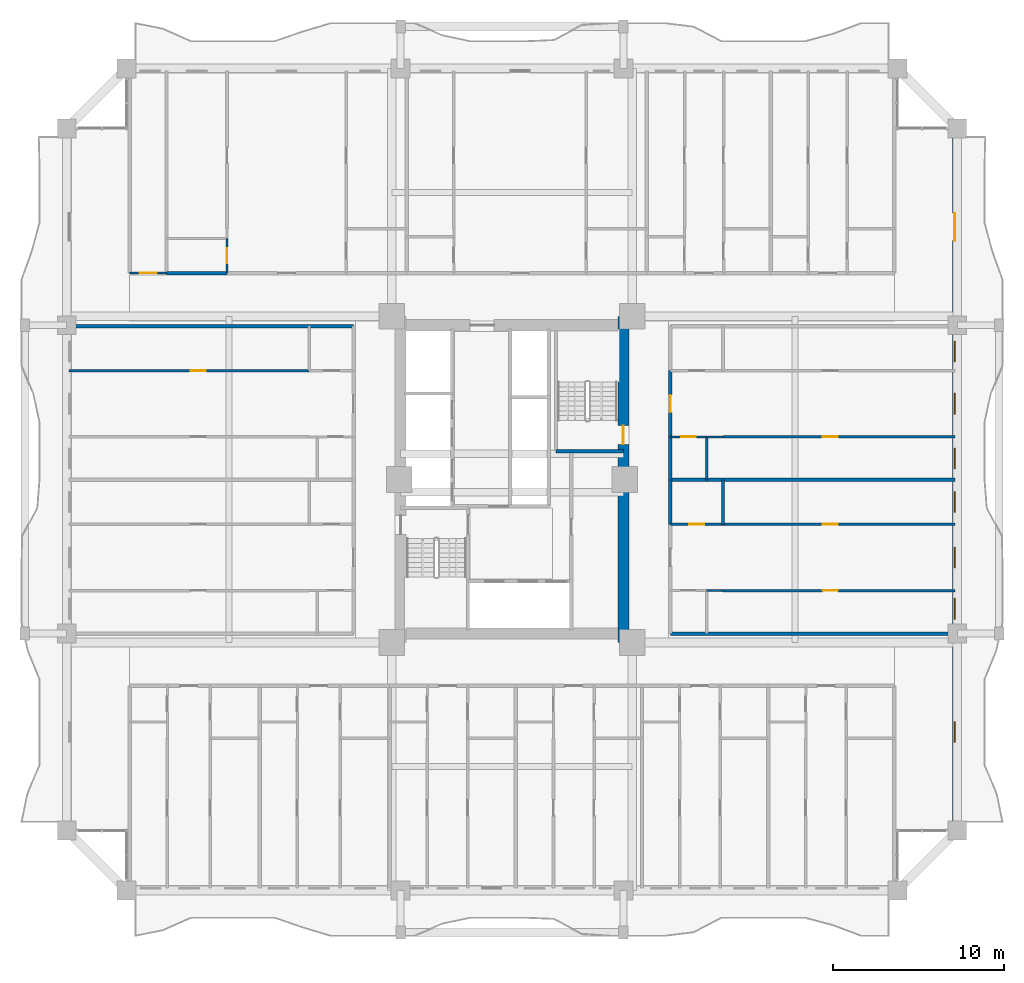
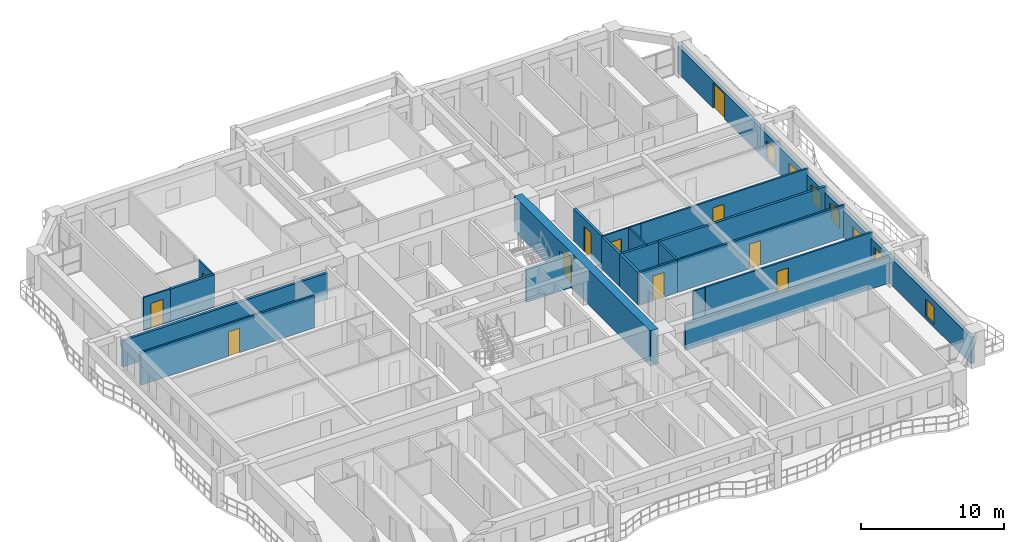
# One storey, part 18 of 28: 22 walls, 11 doors, 7 windows, 18 openings.
"""IFC4 building model written with IfcOpenShell, lengths in metres."""

import ifcopenshell
import ifcopenshell.guid

model = None  # the IFC model being written
_history = None  # IfcOwnerHistory: only IFC2X3 demands one
_inside = {}  # id of a spatial element -> (the spatial element, [elements in it])
_under = {}  # id of a project, library or spatial element -> (it, [spatial elements below it])
_declared = {}  # id of a project -> (the project, [libraries it declares])
_typed = {}  # id of a type object -> (the type object, [elements of that type])
_made_of = {}  # id of a material, layer set ... -> (it, [elements and type objects made of it])


def new_model(schema):
    """Start an empty IFC model of exactly this schema.

    Asked for "IFC4X3", IfcOpenShell would pick the latest addendum, in which some entities
    have other attributes; the version numbers below select the first issue.
    IFC2X3 requires an IfcOwnerHistory on every rooted entity: one is made here for all.
    """
    global model, _history
    if schema == "IFC4X3":
        model = ifcopenshell.file(schema_version=(4, 3, 0, 0))
    else:
        model = ifcopenshell.file(schema=schema)
    _inside.clear()
    _under.clear()
    _declared.clear()
    _typed.clear()
    _made_of.clear()
    _history = None
    if model.schema == "IFC2X3":
        org = make("IfcOrganization", Name="unknown")
        user = make(
            "IfcPersonAndOrganization",
            ThePerson=make("IfcPerson", FamilyName="unknown"),
            TheOrganization=org,
        )
        app = make(
            "IfcApplication",
            ApplicationDeveloper=org,
            Version="unknown",
            ApplicationFullName="unknown",
            ApplicationIdentifier="unknown",
        )
        _history = make(
            "IfcOwnerHistory",
            OwningUser=user,
            OwningApplication=app,
            ChangeAction="ADDED",
            CreationDate=0,
        )
    return model


def make(cls, **values):
    """One entity of the class cls with the attributes given. An attribute that is None is left unset."""
    return model.create_entity(
        cls, **{name: value for name, value in values.items() if value is not None}
    )


def rooted(cls, **values):
    """An entity with a GlobalId (a new one), such as an element, a storey or a relation."""
    return make(cls, GlobalId=ifcopenshell.guid.new(), OwnerHistory=_history, **values)


def si_unit(unit_type, name, prefix=None):
    """IfcSIUnit, for example si_unit("LENGTHUNIT", "METRE", prefix="MILLI")."""
    return make("IfcSIUnit", UnitType=unit_type, Prefix=prefix, Name=name)


def assignment(units):
    """IfcUnitAssignment: the units of a project."""
    return None if units is None else make("IfcUnitAssignment", Units=units)


def point(xyz):
    """IfcCartesianPoint."""
    return None if xyz is None else make("IfcCartesianPoint", Coordinates=xyz)


def direction(xyz):
    """IfcDirection."""
    return None if xyz is None else make("IfcDirection", DirectionRatios=xyz)


def frame(location, z_axis=None, x_axis=None):
    """IfcAxis2Placement3D, a coordinate frame: its origin and axes. An axis left out is left unset."""
    return make(
        "IfcAxis2Placement3D",
        Location=point(location),
        Axis=direction(z_axis),
        RefDirection=direction(x_axis),
    )


def frame_2d(location, x_axis=None):
    """IfcAxis2Placement2D, a coordinate frame in the plane: its origin and x axis."""
    return make(
        "IfcAxis2Placement2D", Location=point(location), RefDirection=direction(x_axis)
    )


def origin():
    """The frame at (0, 0, 0) with its axes left unset."""
    return frame((0.0, 0.0, 0.0))


def place(relative_to, where):
    """IfcLocalPlacement: puts the frame where relative to a parent placement (None: the world)."""
    return make(
        "IfcLocalPlacement", PlacementRelTo=relative_to, RelativePlacement=where
    )


def context(
    kind, dimensions, precision=None, world=None, true_north=None, identifier=None
):
    """IfcGeometricRepresentationContext, for example the 3D "Model" context."""
    return make(
        "IfcGeometricRepresentationContext",
        ContextIdentifier=identifier,
        ContextType=kind,
        CoordinateSpaceDimension=dimensions,
        Precision=precision,
        WorldCoordinateSystem=world,
        TrueNorth=true_north,
    )


def subcontext(parent, identifier, kind, view, scale=None):
    """IfcGeometricRepresentationSubContext, for example "Body" below "Model"."""
    return make(
        "IfcGeometricRepresentationSubContext",
        ContextIdentifier=identifier,
        ContextType=kind,
        ParentContext=parent,
        TargetScale=scale,
        TargetView=view,
    )


def project(units=None, contexts=None):
    """IfcProject with its units and contexts."""
    return rooted(
        "IfcProject",
        Name="project",
        RepresentationContexts=contexts,
        UnitsInContext=assignment(units),
    )


def spatial(cls, under=None, at=None, **own):
    """A site, building, storey or space (cls), placed at a placement, below another one or the project."""
    s = rooted(cls, ObjectPlacement=at, **own)
    if under is not None:
        _under.setdefault(under.id(), (under, []))[1].append(s)
    return s


def profile(cls, at=None, kind="AREA", **sizes):
    """A parametric profile (cls). Its sizes go by their IFC names, for example OverallWidth=200.0."""
    return make(cls, ProfileType=kind, Position=at, **sizes)


def rectangle(**sizes):
    """IfcRectangleProfileDef."""
    return profile("IfcRectangleProfileDef", **sizes)


def extrude(swept, where, along, depth):
    """IfcExtrudedAreaSolid: the profile swept, set in the frame where, extruded along a direction by depth."""
    return make(
        "IfcExtrudedAreaSolid",
        SweptArea=swept,
        Position=where,
        ExtrudedDirection=direction(along),
        Depth=depth,
    )


def shape(context_of_items, identifier, shape_type, items):
    """IfcShapeRepresentation: the items that make up one representation, for example the "Body"."""
    return make(
        "IfcShapeRepresentation",
        ContextOfItems=context_of_items,
        RepresentationIdentifier=identifier,
        RepresentationType=shape_type,
        Items=items,
    )


def source(mapping_origin, context_of_items, identifier, shape_type, items):
    """IfcRepresentationMap: a shape defined once, which mapped items show again and again."""
    return make(
        "IfcRepresentationMap",
        MappingOrigin=mapping_origin,
        MappedRepresentation=shape(context_of_items, identifier, shape_type, items),
    )


def transform(
    local_origin,
    x_axis=None,
    y_axis=None,
    z_axis=None,
    scale=None,
    scale2=None,
    scale3=None,
    uniform=True,
):
    """IfcCartesianTransformationOperator3D, or its non-uniform kind. x_axis, y_axis, z_axis: its Axis1, 2, 3."""
    if uniform:
        return make(
            "IfcCartesianTransformationOperator3D",
            Axis1=direction(x_axis),
            Axis2=direction(y_axis),
            LocalOrigin=point(local_origin),
            Scale=scale,
            Axis3=direction(z_axis),
        )
    return make(
        "IfcCartesianTransformationOperator3DnonUniform",
        Axis1=direction(x_axis),
        Axis2=direction(y_axis),
        LocalOrigin=point(local_origin),
        Scale=scale,
        Axis3=direction(z_axis),
        Scale2=scale2,
        Scale3=scale3,
    )


def mapped(mapping_source, mapping_target):
    """IfcMappedItem: shows the shape of a source again, moved by a transform."""
    return make(
        "IfcMappedItem", MappingSource=mapping_source, MappingTarget=mapping_target
    )


def material(Name=None, Category=None):
    """IfcMaterial."""
    return make("IfcMaterial", Name=Name, Category=Category)


def layer(
    of_material, thickness, ventilated=None, Name=None, Category=None, Priority=None
):
    """IfcMaterialLayer: one layer of a wall or slab, of a material (None: an air gap)."""
    return make(
        "IfcMaterialLayer",
        Material=of_material,
        LayerThickness=thickness,
        IsVentilated=ventilated,
        Name=Name,
        Category=Category,
        Priority=Priority,
    )


def layer_set(layers, Name=None):
    """IfcMaterialLayerSet."""
    return make("IfcMaterialLayerSet", MaterialLayers=layers, LayerSetName=Name)


def made_of(thing, what):
    """Note that an element or type object is made of a material, layer set ...; save() writes the relation."""
    if what is not None:
        _made_of.setdefault(what.id(), (what, []))[1].append(thing)
    return thing


def type_object(cls, material=None, **own):
    """A type object (cls), such as IfcWallType, which elements share."""
    return made_of(rooted(cls, **own), material)


def element(
    cls,
    number,
    at=None,
    inside=None,
    cuts=None,
    type_object=None,
    material=None,
    context=None,
    identifier="Body",
    shape_type=None,
    held_by="IfcProductDefinitionShape",
    body=None,
    shapes=None,
    **own,
):
    """One element of the class cls, such as IfcWall. Its Tag is "e" and its number.

    at: its placement. inside: the storey or other place that contains it. cuts: it is an
    opening in that element (IfcRelVoidsElement). A single representation is given by context,
    identifier, shape_type and body (its items); several are given by shapes. held_by: the class
    of the entity that holds the representations. save() writes the other relations.
    """
    e = rooted(cls, Tag="e%d" % number, ObjectPlacement=at, **own)
    if body is not None:
        shapes = [shape(context, identifier, shape_type, body)]
    if shapes is not None:
        e.Representation = make(held_by, Representations=shapes)
    if inside is not None:
        _inside.setdefault(inside.id(), (inside, []))[1].append(e)
    if cuts is not None:
        rooted(
            "IfcRelVoidsElement", RelatingBuildingElement=cuts, RelatedOpeningElement=e
        )
    if type_object is not None:
        _typed.setdefault(type_object.id(), (type_object, []))[1].append(e)
    return made_of(e, material)


def fill(opening, filler):
    """IfcRelFillsElement: the door or window that sits in an opening."""
    return rooted(
        "IfcRelFillsElement",
        RelatingOpeningElement=opening,
        RelatedBuildingElement=filler,
    )


def aggregate(whole, parts):
    """IfcRelAggregates: a whole, such as a stair, and the parts it consists of."""
    return rooted("IfcRelAggregates", RelatingObject=whole, RelatedObjects=parts)


def save(model, path):
    """Write the relations noted so far, then the file.

    IfcRelAggregates (storeys below a building ...), IfcRelContainedInSpatialStructure (elements
    in a storey), IfcRelDefinesByType, IfcRelAssociatesMaterial and IfcRelDeclares: one each for
    every whole, place, type object, material and project.
    """
    for whole, parts in _under.values():
        aggregate(whole, parts)
    for where, things in _inside.values():
        rooted(
            "IfcRelContainedInSpatialStructure",
            RelatedElements=things,
            RelatingStructure=where,
        )
    for kind, things in _typed.values():
        rooted("IfcRelDefinesByType", RelatedObjects=things, RelatingType=kind)
    for what, things in _made_of.values():
        rooted("IfcRelAssociatesMaterial", RelatedObjects=things, RelatingMaterial=what)
    for by, libraries in _declared.values():
        rooted("IfcRelDeclares", RelatingContext=by, RelatedDefinitions=libraries)
    model.write(path)


model = new_model("IFC4")

# Units and contexts
model_context = context("Model", 3, precision=1e-05, world=origin(), true_north=direction((0.0, 1.0)))
body_context = subcontext(model_context, "Body", "Model", "MODEL_VIEW")
ifc_project = project(units=[si_unit("LENGTHUNIT", "METRE"), si_unit("AREAUNIT", "SQUARE_METRE"), si_unit("VOLUMEUNIT", "CUBIC_METRE"), si_unit("PLANEANGLEUNIT", "RADIAN"), si_unit("MASSUNIT", "GRAM", prefix="KILO")], contexts=[model_context])

# Site, building, storey
site_placement = place(None, origin())
site = spatial("IfcSite", under=ifc_project, at=site_placement, CompositionType="ELEMENT")
building_placement = place(site_placement, origin())
building = spatial("IfcBuilding", under=site, at=building_placement, Name="Saelheon Loggia Tower", CompositionType="ELEMENT")
storey_placement = place(building_placement, frame((0.0, 0.0, 25.39990234375)))
storey = spatial("IfcBuildingStorey", under=building, at=storey_placement, Name="L07", CompositionType="ELEMENT", Elevation=25.39990234375)

# Wall, opening, door
ifc_material_1 = material(Name="Concrete C60/75", Category="concrete")
ifc_layer_1 = layer(ifc_material_1, 0.64990234375)
ifc_layer_set_1 = layer_set([ifc_layer_1], Name="Concrete C60/75")
wall_type_1 = type_object("IfcWallType", Name="Wall_CoreShear_650", PredefinedType="SHEAR", material=ifc_layer_set_1)
wall_1_placement = place(storey_placement, frame((44.5, 17.47998046875, 0.0), z_axis=(0.0, 0.0, 1.0), x_axis=(0.0, 1.0, 0.0)))
wall_1 = element("IfcWall", 1, at=wall_1_placement, inside=storey, type_object=wall_type_1, Name="L07 Core Shear Wall East", PredefinedType="SHEAR", context=body_context, shape_type="SweptSolid", body=[
    extrude(rectangle(XDim=19.0400390625, YDim=0.64990234375, at=frame_2d((9.52001953125, 0.0))), origin(), (0.0, 0.0, 1.0), 3.0),
])
opening_1_placement = place(wall_1_placement, frame((12.670166015625, 0.0, 0.0), z_axis=(0.0, 0.0, 1.0), x_axis=(-1.0, 0.0, 0.0)))
opening_1 = element("IfcOpeningElement", 2, at=opening_1_placement, cuts=wall_1, Name="Opening D-FD2", PredefinedType="OPENING", context=body_context, shape_type="SweptSolid", body=[
    extrude(rectangle(XDim=1.10009765625, YDim=2.14990234375, at=frame_2d((0.550048828125, 1.074951171875))), frame((0.0, 0.3369140625, 0.0), z_axis=(0.0, -1.0, 0.0), x_axis=(1.0, 0.0, 0.0)), (0.0, 0.0, 1.0), 0.673828125),
])
ifc_material_2 = material(Name="Galvanised Steel Fire Door", Category="steel")
door_type_1 = type_object("IfcDoorType", Name="Door_Fire_FD60_1100", OperationType="NOTDEFINED", PredefinedType="DOOR", material=ifc_material_2)
shared_shape_1 = source(origin(), body_context, "Body", "SweptSolid", [
    extrude(rectangle(XDim=1.10009765625, YDim=2.14990234375, at=frame_2d((0.550048828125, 1.074951171875))), frame((0.0, 0.02490234375, 0.0), z_axis=(0.0, -1.0, 0.0), x_axis=(1.0, 0.0, 0.0)), (0.0, 0.0, 1.0), 0.050048828125),
])
door_1_placement = place(opening_1_placement, origin())
door_1 = element("IfcDoor", 3, at=door_1_placement, inside=storey, type_object=door_type_1, Name="L07 Stair ST2 Corridor Door", OperationType="SINGLE_SWING_RIGHT", OverallHeight=2.14990234375, OverallWidth=1.10009765625, PredefinedType="DOOR", context=body_context, shape_type="MappedRepresentation", body=[
    mapped(shared_shape_1, transform((0.0, 0.0, 0.0), scale=1.0)),
])
fill(opening_1, door_1)

# Wall, openings, windows, door
ifc_material_3 = material(Name="Architectural Precast Concrete C40/50", Category="concrete")
ifc_layer_2 = layer(ifc_material_3, 0.280029296875)
ifc_layer_set_2 = layer_set([ifc_layer_2], Name="Architectural Precast Concrete C40/50")
wall_type_2 = type_object("IfcWallType", Name="Wall_Ext_Loggia_280", PredefinedType="SOLIDWALL", material=ifc_layer_set_2)
wall_2_placement = place(storey_placement, frame((63.860107421875, 6.5, 0.0), z_axis=(0.0, 0.0, 1.0), x_axis=(0.0, 1.0, 0.0)))
wall_2 = element("IfcWall", 4, at=wall_2_placement, inside=storey, type_object=wall_type_2, Name="L07 East Loggia Inner Wall", PredefinedType="SOLIDWALL", context=body_context, shape_type="SweptSolid", body=[
    extrude(rectangle(XDim=41.0, YDim=0.280029296875, at=frame_2d((20.5, 0.0))), origin(), (0.0, 0.0, 1.0), 2.280029296875),
])
opening_2_placement = place(wall_2_placement, frame((5.14990234375, 0.0, 0.25)))
opening_2 = element("IfcOpeningElement", 5, at=opening_2_placement, cuts=wall_2, Name="Opening WN-03", PredefinedType="OPENING", context=body_context, shape_type="SweptSolid", body=[
    extrude(rectangle(XDim=1.199951171875, YDim=1.5, at=frame_2d((0.60009765625, 0.75))), frame((0.0, 0.152099609375, 0.0), z_axis=(0.0, -1.0, 0.0), x_axis=(1.0, 0.0, 0.0)), (0.0, 0.0, 1.0), 0.303955078125),
])
opening_3_placement = place(wall_2_placement, frame((12.3515625, 0.0, 0.25)))
opening_3 = element("IfcOpeningElement", 6, at=opening_3_placement, cuts=wall_2, Name="Opening WN-03", PredefinedType="OPENING", context=body_context, shape_type="SweptSolid", body=[
    extrude(rectangle(XDim=1.199951171875, YDim=1.5, at=frame_2d((0.60009765625, 0.75))), frame((0.0, 0.152099609375, 0.0), z_axis=(0.0, -1.0, 0.0), x_axis=(1.0, 0.0, 0.0)), (0.0, 0.0, 1.0), 0.303955078125),
])
opening_4_placement = place(wall_2_placement, frame((15.343994140625, 0.0, 0.25)))
opening_4 = element("IfcOpeningElement", 7, at=opening_4_placement, cuts=wall_2, Name="Opening WN-03", PredefinedType="OPENING", context=body_context, shape_type="SweptSolid", body=[
    extrude(rectangle(XDim=1.199951171875, YDim=1.5, at=frame_2d((0.60009765625, 0.75))), frame((0.0, 0.152099609375, 0.0), z_axis=(0.0, -1.0, 0.0), x_axis=(1.0, 0.0, 0.0)), (0.0, 0.0, 1.0), 0.303955078125),
])
opening_5_placement = place(wall_2_placement, frame((18.574951171875, 0.0, 0.25)))
opening_5 = element("IfcOpeningElement", 8, at=opening_5_placement, cuts=wall_2, Name="Opening WN-03", PredefinedType="OPENING", context=body_context, shape_type="SweptSolid", body=[
    extrude(rectangle(XDim=1.199951171875, YDim=1.5, at=frame_2d((0.60009765625, 0.75))), frame((0.0, 0.152099609375, 0.0), z_axis=(0.0, -1.0, 0.0), x_axis=(1.0, 0.0, 0.0)), (0.0, 0.0, 1.0), 0.303955078125),
])
opening_6_placement = place(wall_2_placement, frame((21.131591796875, 0.0, 0.25)))
opening_6 = element("IfcOpeningElement", 9, at=opening_6_placement, cuts=wall_2, Name="Opening WN-03", PredefinedType="OPENING", context=body_context, shape_type="SweptSolid", body=[
    extrude(rectangle(XDim=1.199951171875, YDim=1.5, at=frame_2d((0.60009765625, 0.75))), frame((0.0, 0.152099609375, 0.0), z_axis=(0.0, -1.0, 0.0), x_axis=(1.0, 0.0, 0.0)), (0.0, 0.0, 1.0), 0.303955078125),
])
opening_7_placement = place(wall_2_placement, frame((24.319091796875, 0.0, 0.25)))
opening_7 = element("IfcOpeningElement", 10, at=opening_7_placement, cuts=wall_2, Name="Opening WN-03", PredefinedType="OPENING", context=body_context, shape_type="SweptSolid", body=[
    extrude(rectangle(XDim=1.199951171875, YDim=1.5, at=frame_2d((0.60009765625, 0.75))), frame((0.0, 0.152099609375, 0.0), z_axis=(0.0, -1.0, 0.0), x_axis=(1.0, 0.0, 0.0)), (0.0, 0.0, 1.0), 0.303955078125),
])
opening_8_placement = place(wall_2_placement, frame((27.3798828125, 0.0, 0.25)))
opening_8 = element("IfcOpeningElement", 11, at=opening_8_placement, cuts=wall_2, Name="Opening WN-03", PredefinedType="OPENING", context=body_context, shape_type="SweptSolid", body=[
    extrude(rectangle(XDim=1.199951171875, YDim=1.5, at=frame_2d((0.60009765625, 0.75))), frame((0.0, 0.152099609375, 0.0), z_axis=(0.0, -1.0, 0.0), x_axis=(1.0, 0.0, 0.0)), (0.0, 0.0, 1.0), 0.303955078125),
])
opening_9_placement = place(wall_2_placement, frame((36.050048828125, 0.0, 0.0), z_axis=(0.0, 0.0, 1.0), x_axis=(-1.0, 0.0, 0.0)))
opening_9 = element("IfcOpeningElement", 12, at=opening_9_placement, cuts=wall_2, Name="Opening DLG-1", PredefinedType="OPENING", context=body_context, shape_type="SweptSolid", body=[
    extrude(rectangle(XDim=1.60009765625, YDim=2.14990234375, at=frame_2d((0.800048828125, 1.074951171875))), frame((0.0, 0.152099609375, 0.0), z_axis=(0.0, -1.0, 0.0), x_axis=(1.0, 0.0, 0.0)), (0.0, 0.0, 1.0), 0.303955078125),
])
ifc_material_4 = material(Name="Thermal-Break Aluminium and Triple Low-E Glass", Category="aluminium")
window_type = type_object("IfcWindowType", Name="Win_Bedroom_1200x1500", PartitioningType="SINGLE_PANEL", PredefinedType="WINDOW", material=ifc_material_4)
shared_shape_2 = source(origin(), body_context, "Body", "SweptSolid", [
    extrude(rectangle(XDim=1.199951171875, YDim=1.5, at=frame_2d((0.60009765625, 0.75))), frame((0.0, 0.030029296875, 0.0), z_axis=(0.0, -1.0, 0.0), x_axis=(1.0, 0.0, 0.0)), (0.0, 0.0, 1.0), 0.06005859375),
])
window_1_placement = place(opening_2_placement, origin())
window_1 = element("IfcWindow", 13, at=window_1_placement, inside=storey, type_object=window_type, Name="L07 E Dwelling Window 1", OverallHeight=1.5, OverallWidth=1.199951171875, PartitioningType="SINGLE_PANEL", PredefinedType="WINDOW", context=body_context, shape_type="MappedRepresentation", body=[
    mapped(shared_shape_2, transform((0.0, 0.0, 0.0), scale=1.0)),
])
fill(opening_2, window_1)
window_2_placement = place(opening_3_placement, origin())
window_2 = element("IfcWindow", 14, at=window_2_placement, inside=storey, type_object=window_type, Name="L07 E Dwelling Window 2", OverallHeight=1.5, OverallWidth=1.199951171875, PartitioningType="SINGLE_PANEL", PredefinedType="WINDOW", context=body_context, shape_type="MappedRepresentation", body=[
    mapped(shared_shape_2, transform((0.0, 0.0, 0.0), scale=1.0)),
])
fill(opening_3, window_2)
window_3_placement = place(opening_4_placement, origin())
window_3 = element("IfcWindow", 15, at=window_3_placement, inside=storey, type_object=window_type, Name="L07 E Dwelling Window 3", OverallHeight=1.5, OverallWidth=1.199951171875, PartitioningType="SINGLE_PANEL", PredefinedType="WINDOW", context=body_context, shape_type="MappedRepresentation", body=[
    mapped(shared_shape_2, transform((0.0, 0.0, 0.0), scale=1.0)),
])
fill(opening_4, window_3)
window_4_placement = place(opening_5_placement, origin())
window_4 = element("IfcWindow", 16, at=window_4_placement, inside=storey, type_object=window_type, Name="L07 E Dwelling Window 4", OverallHeight=1.5, OverallWidth=1.199951171875, PartitioningType="SINGLE_PANEL", PredefinedType="WINDOW", context=body_context, shape_type="MappedRepresentation", body=[
    mapped(shared_shape_2, transform((0.0, 0.0, 0.0), scale=1.0)),
])
fill(opening_5, window_4)
window_5_placement = place(opening_6_placement, origin())
window_5 = element("IfcWindow", 17, at=window_5_placement, inside=storey, type_object=window_type, Name="L07 E Dwelling Window 5", OverallHeight=1.5, OverallWidth=1.199951171875, PartitioningType="SINGLE_PANEL", PredefinedType="WINDOW", context=body_context, shape_type="MappedRepresentation", body=[
    mapped(shared_shape_2, transform((0.0, 0.0, 0.0), scale=1.0)),
])
fill(opening_6, window_5)
window_6_placement = place(opening_7_placement, origin())
window_6 = element("IfcWindow", 18, at=window_6_placement, inside=storey, type_object=window_type, Name="L07 E Dwelling Window 6", OverallHeight=1.5, OverallWidth=1.199951171875, PartitioningType="SINGLE_PANEL", PredefinedType="WINDOW", context=body_context, shape_type="MappedRepresentation", body=[
    mapped(shared_shape_2, transform((0.0, 0.0, 0.0), scale=1.0)),
])
fill(opening_7, window_6)
window_7_placement = place(opening_8_placement, origin())
window_7 = element("IfcWindow", 19, at=window_7_placement, inside=storey, type_object=window_type, Name="L07 E Dwelling Window 7", OverallHeight=1.5, OverallWidth=1.199951171875, PartitioningType="SINGLE_PANEL", PredefinedType="WINDOW", context=body_context, shape_type="MappedRepresentation", body=[
    mapped(shared_shape_2, transform((0.0, 0.0, 0.0), scale=1.0)),
])
fill(opening_8, window_7)
ifc_material_5 = material(Name="Thermal-Break Aluminium Sliding Glazed Door", Category="aluminium")
door_type_2 = type_object("IfcDoorType", Name="Door_LoggiaSlide_1600", OperationType="SLIDING_TO_LEFT", PredefinedType="DOOR", material=ifc_material_5)
shared_shape_3 = source(origin(), body_context, "Body", "SweptSolid", [
    extrude(rectangle(XDim=1.60009765625, YDim=2.14990234375, at=frame_2d((0.800048828125, 1.074951171875))), frame((0.0, 0.02490234375, 0.0), z_axis=(0.0, -1.0, 0.0), x_axis=(1.0, 0.0, 0.0)), (0.0, 0.0, 1.0), 0.050048828125),
])
door_2_placement = place(opening_9_placement, origin())
door_2 = element("IfcDoor", 20, at=door_2_placement, inside=storey, type_object=door_type_2, Name="L07 E Loggia Access Door", OperationType="SLIDING_TO_LEFT", OverallHeight=2.14990234375, OverallWidth=1.60009765625, PredefinedType="DOOR", context=body_context, shape_type="MappedRepresentation", body=[
    mapped(shared_shape_3, transform((0.0, 0.0, 0.0), scale=1.0)),
])
fill(opening_9, door_2)

# Wall, opening, door
ifc_material_6 = material(Name="Lightweight Autoclaved Aerated Concrete Block and Acoustic Gypsum", Category="concrete")
ifc_layer_3 = layer(ifc_material_6, 0.14990234375)
ifc_layer_set_3 = layer_set([ifc_layer_3], Name="Lightweight Autoclaved Aerated Concrete Block and Acoustic Gypsum")
wall_type_3 = type_object("IfcWallType", Name="Wall_Part_150", PredefinedType="PARTITIONING", material=ifc_layer_set_3)
wall_3_placement = place(storey_placement, frame((26.159912109375, 33.35009765625, 0.0), z_axis=(0.0, 0.0, 1.0), x_axis=(-1.0, 0.0, 0.0)))
wall_3 = element("IfcWall", 21, at=wall_3_placement, inside=storey, type_object=wall_type_3, Name="L07 W Partition U23", PredefinedType="PARTITIONING", context=body_context, shape_type="SweptSolid", body=[
    extrude(rectangle(XDim=14.010009765625, YDim=0.14990234375, at=frame_2d((7.0048828125, 0.0))), origin(), (0.0, 0.0, 1.0), 2.7900390625),
])
opening_10_placement = place(wall_3_placement, frame((6.02880859375, 0.0, 0.0)))
opening_10 = element("IfcOpeningElement", 22, at=opening_10_placement, cuts=wall_3, Name="Opening D-IN2", PredefinedType="OPENING", context=body_context, shape_type="SweptSolid", body=[
    extrude(rectangle(XDim=0.89990234375, YDim=2.10009765625, at=frame_2d((0.449951171875, 1.050048828125))), frame((0.0, 0.0869140625, 0.0), z_axis=(0.0, -1.0, 0.0), x_axis=(1.0, 0.0, 0.0)), (0.0, 0.0, 1.0), 0.173828125),
])
ifc_material_7 = material(Name="Engineered Oak Flush Door", Category="timber")
door_type_3 = type_object("IfcDoorType", Name="Door_Int_900", OperationType="NOTDEFINED", PredefinedType="DOOR", material=ifc_material_7)
shared_shape_4 = source(origin(), body_context, "Body", "SweptSolid", [
    extrude(rectangle(XDim=0.89990234375, YDim=2.10009765625, at=frame_2d((0.449951171875, 1.050048828125))), frame((0.0, 0.02490234375, 0.0), z_axis=(0.0, -1.0, 0.0), x_axis=(1.0, 0.0, 0.0)), (0.0, 0.0, 1.0), 0.050048828125),
])
door_3_placement = place(opening_10_placement, origin())
door_3 = element("IfcDoor", 23, at=door_3_placement, inside=storey, type_object=door_type_3, Name="Unit U12 Bedroom 1 Door", OperationType="SINGLE_SWING_LEFT", OverallHeight=2.10009765625, OverallWidth=0.89990234375, PredefinedType="DOOR", context=body_context, shape_type="MappedRepresentation", body=[
    mapped(shared_shape_4, transform((0.0, 0.0, 0.0), scale=1.0)),
])
fill(opening_10, door_3)

# Wall
wall_4_placement = place(storey_placement, frame((50.320068359375, 24.375, 0.0), z_axis=(0.0, 0.0, 1.0), x_axis=(0.0, 1.0, 0.0)))
element("IfcWall", 24, at=wall_4_placement, inside=storey, type_object=wall_type_3, Name="L07 E Partition V07", PredefinedType="PARTITIONING", context=body_context, shape_type="SweptSolid", body=[
    extrude(rectangle(XDim=2.60009765625, YDim=0.14990234375, at=frame_2d((1.300048828125, 0.0))), origin(), (0.0, 0.0, 1.0), 2.7900390625),
])

# Wall, opening, door
wall_5_placement = place(storey_placement, frame((50.320068359375, 20.512939453125, 0.0), z_axis=(0.0, 0.0, 1.0), x_axis=(1.0, 0.0, 0.0)))
wall_5 = element("IfcWall", 25, at=wall_5_placement, inside=storey, type_object=wall_type_3, Name="L07 E Partition U10", PredefinedType="PARTITIONING", context=body_context, shape_type="SweptSolid", body=[
    extrude(rectangle(XDim=13.530029296875, YDim=0.14990234375, at=frame_2d((6.76513671875, 0.0))), origin(), (0.0, 0.0, 1.0), 2.7900390625),
])
opening_11_placement = place(wall_5_placement, frame((5.808837890625, 0.0, 0.0)))
opening_11 = element("IfcOpeningElement", 26, at=opening_11_placement, cuts=wall_5, Name="Opening D-IN2", PredefinedType="OPENING", context=body_context, shape_type="SweptSolid", body=[
    extrude(rectangle(XDim=0.89990234375, YDim=2.10009765625, at=frame_2d((0.449951171875, 1.050048828125))), frame((0.0, 0.0869140625, 0.0), z_axis=(0.0, -1.0, 0.0), x_axis=(1.0, 0.0, 0.0)), (0.0, 0.0, 1.0), 0.173828125),
])
door_4_placement = place(opening_11_placement, origin())
door_4 = element("IfcDoor", 27, at=door_4_placement, inside=storey, type_object=door_type_3, Name="Unit U13 Kitchen Door", OperationType="SINGLE_SWING_RIGHT", OverallHeight=2.10009765625, OverallWidth=0.89990234375, PredefinedType="DOOR", context=body_context, shape_type="MappedRepresentation", body=[
    mapped(shared_shape_4, transform((0.0, 0.0, 0.0), scale=1.0)),
])
fill(opening_11, door_4)

wall_6_placement = place(storey_placement, frame((47.25, 24.375, 0.0), z_axis=(0.0, 0.0, 1.0), x_axis=(1.0, 0.0, 0.0)))
wall_6 = element("IfcWall", 28, at=wall_6_placement, inside=storey, type_object=wall_type_3, Name="L07 E Partition U11", PredefinedType="PARTITIONING", context=body_context, shape_type="SweptSolid", body=[
    extrude(rectangle(XDim=3.070068359375, YDim=0.14990234375, at=frame_2d((1.53515625, 0.0))), origin(), (0.0, 0.0, 1.0), 2.7900390625),
])
opening_12_placement = place(wall_6_placement, frame((1.0849609375, 0.0, 0.0)))
opening_12 = element("IfcOpeningElement", 29, at=opening_12_placement, cuts=wall_6, Name="Opening D-IN2", PredefinedType="OPENING", context=body_context, shape_type="SweptSolid", body=[
    extrude(rectangle(XDim=0.89990234375, YDim=2.10009765625, at=frame_2d((0.449951171875, 1.050048828125))), frame((0.0, 0.0869140625, 0.0), z_axis=(0.0, -1.0, 0.0), x_axis=(1.0, 0.0, 0.0)), (0.0, 0.0, 1.0), 0.173828125),
])
door_5_placement = place(opening_12_placement, origin())
door_5 = element("IfcDoor", 30, at=door_5_placement, inside=storey, type_object=door_type_3, Name="Unit U13 Dressing Closet Door", OperationType="SINGLE_SWING_LEFT", OverallHeight=2.10009765625, OverallWidth=0.89990234375, PredefinedType="DOOR", context=body_context, shape_type="MappedRepresentation", body=[
    mapped(shared_shape_4, transform((0.0, 0.0, 0.0), scale=1.0)),
])
fill(opening_12, door_5)

wall_7_placement = place(storey_placement, frame((50.320068359375, 24.375, 0.0), z_axis=(0.0, 0.0, 1.0), x_axis=(1.0, 0.0, 0.0)))
wall_7 = element("IfcWall", 31, at=wall_7_placement, inside=storey, type_object=wall_type_3, Name="L07 E Partition U12", PredefinedType="PARTITIONING", context=body_context, shape_type="SweptSolid", body=[
    extrude(rectangle(XDim=13.530029296875, YDim=0.14990234375, at=frame_2d((6.76513671875, 0.0))), origin(), (0.0, 0.0, 1.0), 2.7900390625),
])
opening_13_placement = place(wall_7_placement, frame((5.808837890625, 0.0, 0.0)))
opening_13 = element("IfcOpeningElement", 32, at=opening_13_placement, cuts=wall_7, Name="Opening D-IN2", PredefinedType="OPENING", context=body_context, shape_type="SweptSolid", body=[
    extrude(rectangle(XDim=0.89990234375, YDim=2.10009765625, at=frame_2d((0.449951171875, 1.050048828125))), frame((0.0, 0.0869140625, 0.0), z_axis=(0.0, -1.0, 0.0), x_axis=(1.0, 0.0, 0.0)), (0.0, 0.0, 1.0), 0.173828125),
])
door_6_placement = place(opening_13_placement, origin())
door_6 = element("IfcDoor", 33, at=door_6_placement, inside=storey, type_object=door_type_3, Name="Unit U13 Bedroom 1 Door", OperationType="SINGLE_SWING_RIGHT", OverallHeight=2.10009765625, OverallWidth=0.89990234375, PredefinedType="DOOR", context=body_context, shape_type="MappedRepresentation", body=[
    mapped(shared_shape_4, transform((0.0, 0.0, 0.0), scale=1.0)),
])
fill(opening_13, door_6)

wall_8_placement = place(storey_placement, frame((50.320068359375, 29.488037109375, 0.0), z_axis=(0.0, 0.0, 1.0), x_axis=(1.0, 0.0, 0.0)))
wall_8 = element("IfcWall", 34, at=wall_8_placement, inside=storey, type_object=wall_type_3, Name="L07 E Partition U21", PredefinedType="PARTITIONING", context=body_context, shape_type="SweptSolid", body=[
    extrude(rectangle(XDim=13.530029296875, YDim=0.14990234375, at=frame_2d((6.76513671875, 0.0))), origin(), (0.0, 0.0, 1.0), 2.7900390625),
])
opening_14_placement = place(wall_8_placement, frame((5.808837890625, 0.0, 0.0)))
opening_14 = element("IfcOpeningElement", 35, at=opening_14_placement, cuts=wall_8, Name="Opening D-IN2", PredefinedType="OPENING", context=body_context, shape_type="SweptSolid", body=[
    extrude(rectangle(XDim=0.89990234375, YDim=2.10009765625, at=frame_2d((0.449951171875, 1.050048828125))), frame((0.0, 0.0869140625, 0.0), z_axis=(0.0, -1.0, 0.0), x_axis=(1.0, 0.0, 0.0)), (0.0, 0.0, 1.0), 0.173828125),
])
door_7_placement = place(opening_14_placement, origin())
door_7 = element("IfcDoor", 36, at=door_7_placement, inside=storey, type_object=door_type_3, Name="Unit U14 Kitchen Door", OperationType="SINGLE_SWING_LEFT", OverallHeight=2.10009765625, OverallWidth=0.89990234375, PredefinedType="DOOR", context=body_context, shape_type="MappedRepresentation", body=[
    mapped(shared_shape_4, transform((0.0, 0.0, 0.0), scale=1.0)),
])
fill(opening_14, door_7)

# Walls
ifc_material_8 = material(Name="Double Acoustic Stud and Fireboard Partition", Category="gypsum")
ifc_layer_4 = layer(ifc_material_8, 0.199951171875)
ifc_layer_set_4 = layer_set([ifc_layer_4], Name="Double Acoustic Stud and Fireboard Partition")
wall_type_4 = type_object("IfcWallType", Name="Wall_Party_200", PredefinedType="PARTITIONING", material=ifc_layer_set_4)
wall_9_placement = place(storey_placement, frame((17.830078125, 39.050048828125, 0.0), z_axis=(0.0, 0.0, 1.0), x_axis=(1.0, 0.0, 0.0)))
element("IfcWall", 37, at=wall_9_placement, inside=storey, type_object=wall_type_4, Name="L07 N Partition V05", PredefinedType="PARTITIONING", context=body_context, shape_type="SweptSolid", body=[
    extrude(rectangle(XDim=3.52880859375, YDim=0.199951171875, at=frame_2d((1.764404296875, 0.0))), origin(), (0.0, 0.0, 1.0), 2.7900390625),
])
for number, where, z_axis, x_axis, name in (
    (38, (28.75, 35.949951171875, 0.0), (0.0, 0.0, 1.0), (-1.0, 0.0, 0.0), "L07 W Partition U02"),
    (39, (47.25, 18.0, 0.0), (0.0, 0.0, 1.0), (1.0, 0.0, 0.0), "L07 E Partition U01"),
):
    element("IfcWall", number, at=place(storey_placement, frame(where, z_axis=z_axis, x_axis=x_axis)), inside=storey, type_object=wall_type_4, Name=name, PredefinedType="PARTITIONING", context=body_context, shape_type="SweptSolid", body=[
        extrude(rectangle(XDim=16.60009765625, YDim=0.199951171875, at=frame_2d((8.300048828125, 0.0))), origin(), (0.0, 0.0, 1.0), 2.239990234375),
    ])
wall_10_placement = place(storey_placement, frame((47.25, 24.375, 0.0), z_axis=(0.0, 0.0, 1.0), x_axis=(0.0, 1.0, 0.0)))
element("IfcWall", 40, at=wall_10_placement, inside=storey, type_object=wall_type_4, Name="L07 E Partition V05", PredefinedType="PARTITIONING", context=body_context, shape_type="SweptSolid", body=[
    extrude(rectangle(XDim=2.60009765625, YDim=0.199951171875, at=frame_2d((1.300048828125, 0.0))), origin(), (0.0, 0.0, 1.0), 2.7900390625),
])
wall_11_placement = place(storey_placement, frame((47.25, 26.97509765625, 0.0), z_axis=(0.0, 0.0, 1.0), x_axis=(1.0, 0.0, 0.0)))
element("IfcWall", 41, at=wall_11_placement, inside=storey, type_object=wall_type_4, Name="L07 E Partition U13", PredefinedType="PARTITIONING", context=body_context, shape_type="SweptSolid", body=[
    extrude(rectangle(XDim=16.60009765625, YDim=0.199951171875, at=frame_2d((8.300048828125, 0.0))), origin(), (0.0, 0.0, 1.0), 2.7900390625),
])
wall_12_placement = place(storey_placement, frame((47.25, 26.97509765625, 0.0), z_axis=(0.0, 0.0, 1.0), x_axis=(0.0, 1.0, 0.0)))
element("IfcWall", 42, at=wall_12_placement, inside=storey, type_object=wall_type_4, Name="L07 E Partition V14", PredefinedType="PARTITIONING", context=body_context, shape_type="SweptSolid", body=[
    extrude(rectangle(XDim=2.512939453125, YDim=0.199951171875, at=frame_2d((1.25634765625, 0.0))), origin(), (0.0, 0.0, 1.0), 2.7900390625),
])

# Wall, opening, door
wall_13_placement = place(storey_placement, frame((47.25, 29.488037109375, 0.0), z_axis=(0.0, 0.0, 1.0), x_axis=(0.0, 1.0, 0.0)))
wall_13 = element("IfcWall", 43, at=wall_13_placement, inside=storey, type_object=wall_type_4, Name="L07 E Partition V15", PredefinedType="PARTITIONING", context=body_context, shape_type="SweptSolid", body=[
    extrude(rectangle(XDim=3.862060546875, YDim=0.199951171875, at=frame_2d((1.93115234375, 0.0))), origin(), (0.0, 0.0, 1.0), 2.7900390625),
])
opening_15_placement = place(wall_13_placement, frame((1.430908203125, 0.0, 0.0)))
opening_15 = element("IfcOpeningElement", 44, at=opening_15_placement, cuts=wall_13, Name="Opening D-FD1", PredefinedType="OPENING", context=body_context, shape_type="SweptSolid", body=[
    extrude(rectangle(XDim=1.0, YDim=2.14990234375, at=frame_2d((0.5, 1.074951171875))), frame((0.0, 0.112060546875, 0.0), z_axis=(0.0, -1.0, 0.0), x_axis=(1.0, 0.0, 0.0)), (0.0, 0.0, 1.0), 0.223876953125),
])
ifc_material_9 = material(Name="Fire-Rated Engineered Timber Entrance Door", Category="wood")
door_type_4 = type_object("IfcDoorType", Name="Door_Flat_FD30S", OperationType="NOTDEFINED", PredefinedType="DOOR", material=ifc_material_9)
shared_shape_5 = source(origin(), body_context, "Body", "SweptSolid", [
    extrude(rectangle(XDim=1.0, YDim=2.14990234375, at=frame_2d((0.5, 1.074951171875))), frame((0.0, 0.02490234375, 0.0), z_axis=(0.0, -1.0, 0.0), x_axis=(1.0, 0.0, 0.0)), (0.0, 0.0, 1.0), 0.050048828125),
])
door_8_placement = place(opening_15_placement, origin())
door_8 = element("IfcDoor", 45, at=door_8_placement, inside=storey, type_object=door_type_4, Name="Unit U14 Entrance Door", OperationType="SINGLE_SWING_LEFT", OverallHeight=2.14990234375, OverallWidth=1.0, PredefinedType="DOOR", context=body_context, shape_type="MappedRepresentation", body=[
    mapped(shared_shape_5, transform((0.0, 0.0, 0.0), scale=1.0)),
])
fill(opening_15, door_8)

# Wall
ifc_material_10 = material(Name="Concrete C45/55", Category="concrete")
ifc_layer_5 = layer(ifc_material_10, 0.199951171875)
ifc_layer_set_5 = layer_set([ifc_layer_5], Name="Concrete C45/55")
wall_type_5 = type_object("IfcWallType", Name="Wall_StairShaft_RC200", PredefinedType="SOLIDWALL", material=ifc_layer_set_5)
wall_14_placement = place(storey_placement, frame((40.570068359375, 28.64990234375, 0.0), z_axis=(0.0, 0.0, 1.0), x_axis=(1.0, 0.0, 0.0)))
element("IfcWall", 46, at=wall_14_placement, inside=storey, type_object=wall_type_5, Name="L07 Stair ST2 South Wall", PredefinedType="SOLIDWALL", context=body_context, shape_type="SweptSolid", body=[
    extrude(rectangle(XDim=3.929931640625, YDim=0.199951171875, at=frame_2d((1.96484375, 0.0))), origin(), (0.0, 0.0, 1.0), 2.7900390625),
])

# Wall, opening, door
ifc_material_11 = material(Name="Moisture-Resistant Cement Board Partition", Category="gypsum")
ifc_layer_6 = layer(ifc_material_11, 0.1201171875)
ifc_layer_set_6 = layer_set([ifc_layer_6], Name="Moisture-Resistant Cement Board Partition")
wall_type_6 = type_object("IfcWallType", Name="Wall_WetPart_120", PredefinedType="PARTITIONING", material=ifc_layer_set_6)
wall_15_placement = place(storey_placement, frame((15.679931640625, 39.050048828125, 0.0), z_axis=(0.0, 0.0, 1.0), x_axis=(1.0, 0.0, 0.0)))
wall_15 = element("IfcWall", 47, at=wall_15_placement, inside=storey, type_object=wall_type_6, Name="L07 N Partition V04", PredefinedType="PARTITIONING", context=body_context, shape_type="SweptSolid", body=[
    extrude(rectangle(XDim=2.150146484375, YDim=0.1201171875, at=frame_2d((1.0751953125, 0.0))), origin(), (0.0, 0.0, 1.0), 2.7900390625),
])
opening_16_placement = place(wall_15_placement, frame((0.574951171875, 0.0, 0.0)))
opening_16 = element("IfcOpeningElement", 48, at=opening_16_placement, cuts=wall_15, Name="Opening D-AC1", PredefinedType="OPENING", context=body_context, shape_type="SweptSolid", body=[
    extrude(rectangle(XDim=1.0, YDim=2.10009765625, at=frame_2d((0.5, 1.050048828125))), frame((0.0, 0.072021484375, 0.0), z_axis=(0.0, -1.0, 0.0), x_axis=(1.0, 0.0, 0.0)), (0.0, 0.0, 1.0), 0.14404296875),
])
ifc_material_12 = material(Name="Accessible Laminate Flush Door", Category="timber")
door_type_5 = type_object("IfcDoorType", Name="Door_Acc_1000", OperationType="NOTDEFINED", PredefinedType="DOOR", material=ifc_material_12)
shared_shape_6 = source(origin(), body_context, "Body", "SweptSolid", [
    extrude(rectangle(XDim=1.0, YDim=2.10009765625, at=frame_2d((0.5, 1.050048828125))), frame((0.0, 0.02490234375, 0.0), z_axis=(0.0, -1.0, 0.0), x_axis=(1.0, 0.0, 0.0)), (0.0, 0.0, 1.0), 0.050048828125),
])
door_9_placement = place(opening_16_placement, origin())
door_9 = element("IfcDoor", 49, at=door_9_placement, inside=storey, type_object=door_type_5, Name="L07 Floor Accessible WC Door", OperationType="SINGLE_SWING_LEFT", OverallHeight=2.10009765625, OverallWidth=1.0, PredefinedType="DOOR", context=body_context, shape_type="MappedRepresentation", body=[
    mapped(shared_shape_6, transform((0.0, 0.0, 0.0), scale=1.0)),
])
fill(opening_16, door_9)

wall_16_placement = place(storey_placement, frame((21.35888671875, 39.050048828125, 0.0), z_axis=(0.0, 0.0, 1.0), x_axis=(0.0, 1.0, 0.0)))
wall_16 = element("IfcWall", 50, at=wall_16_placement, inside=storey, type_object=wall_type_6, Name="L07 N Partition U10", PredefinedType="PARTITIONING", context=body_context, shape_type="SweptSolid", body=[
    extrude(rectangle(XDim=2.02001953125, YDim=0.1201171875, at=frame_2d((1.010009765625, 0.0))), origin(), (0.0, 0.0, 1.0), 2.7900390625),
])
opening_17_placement = place(wall_16_placement, frame((0.5849609375, 0.0, 0.0)))
opening_17 = element("IfcOpeningElement", 51, at=opening_17_placement, cuts=wall_16, Name="Opening D-BT1", PredefinedType="OPENING", context=body_context, shape_type="SweptSolid", body=[
    extrude(rectangle(XDim=0.85009765625, YDim=2.050048828125, at=frame_2d((0.425048828125, 1.02490234375))), frame((0.0, 0.072021484375, 0.0), z_axis=(0.0, -1.0, 0.0), x_axis=(1.0, 0.0, 0.0)), (0.0, 0.0, 1.0), 0.14404296875),
])
ifc_material_13 = material(Name="Moisture-Resistant Laminate Timber Door", Category="wood")
door_type_6 = type_object("IfcDoorType", Name="Door_Bath_850", OperationType="NOTDEFINED", PredefinedType="DOOR", material=ifc_material_13)
shared_shape_7 = source(origin(), body_context, "Body", "SweptSolid", [
    extrude(rectangle(XDim=0.85009765625, YDim=2.050048828125, at=frame_2d((0.425048828125, 1.02490234375))), frame((0.0, 0.02490234375, 0.0), z_axis=(0.0, -1.0, 0.0), x_axis=(1.0, 0.0, 0.0)), (0.0, 0.0, 1.0), 0.050048828125),
])
door_10_placement = place(opening_17_placement, origin())
door_10 = element("IfcDoor", 52, at=door_10_placement, inside=storey, type_object=door_type_6, Name="Unit U07 Bathroom Door", OperationType="SINGLE_SWING_LEFT", OverallHeight=2.050048828125, OverallWidth=0.85009765625, PredefinedType="DOOR", context=body_context, shape_type="MappedRepresentation", body=[
    mapped(shared_shape_7, transform((0.0, 0.0, 0.0), scale=1.0)),
])
fill(opening_17, door_10)

# Walls
wall_17_placement = place(storey_placement, frame((49.3701171875, 20.512939453125, 0.0), z_axis=(0.0, 0.0, 1.0), x_axis=(1.0, 0.0, 0.0)))
element("IfcWall", 53, at=wall_17_placement, inside=storey, type_object=wall_type_6, Name="L07 E Partition U09", PredefinedType="PARTITIONING", context=body_context, shape_type="SweptSolid", body=[
    extrude(rectangle(XDim=0.949951171875, YDim=0.1201171875, at=frame_2d((0.47509765625, 0.0))), origin(), (0.0, 0.0, 1.0), 2.7900390625),
])
wall_18_placement = place(storey_placement, frame((49.3701171875, 26.97509765625, 0.0), z_axis=(0.0, 0.0, 1.0), x_axis=(0.0, 1.0, 0.0)))
element("IfcWall", 54, at=wall_18_placement, inside=storey, type_object=wall_type_6, Name="L07 E Partition V17", PredefinedType="PARTITIONING", context=body_context, shape_type="SweptSolid", body=[
    extrude(rectangle(XDim=2.512939453125, YDim=0.1201171875, at=frame_2d((1.25634765625, 0.0))), origin(), (0.0, 0.0, 1.0), 2.7900390625),
])

# Wall, opening, door
wall_19_placement = place(storey_placement, frame((47.25, 29.488037109375, 0.0), z_axis=(0.0, 0.0, 1.0), x_axis=(1.0, 0.0, 0.0)))
wall_19 = element("IfcWall", 55, at=wall_19_placement, inside=storey, type_object=wall_type_6, Name="L07 E Partition U19", PredefinedType="PARTITIONING", context=body_context, shape_type="SweptSolid", body=[
    extrude(rectangle(XDim=2.1201171875, YDim=0.1201171875, at=frame_2d((1.06005859375, 0.0))), origin(), (0.0, 0.0, 1.0), 2.7900390625),
])
opening_18_placement = place(wall_19_placement, frame((0.635009765625, 0.0, 0.0)))
opening_18 = element("IfcOpeningElement", 56, at=opening_18_placement, cuts=wall_19, Name="Opening D-BT1", PredefinedType="OPENING", context=body_context, shape_type="SweptSolid", body=[
    extrude(rectangle(XDim=0.85009765625, YDim=2.050048828125, at=frame_2d((0.425048828125, 1.02490234375))), frame((0.0, 0.072021484375, 0.0), z_axis=(0.0, -1.0, 0.0), x_axis=(1.0, 0.0, 0.0)), (0.0, 0.0, 1.0), 0.14404296875),
])
door_11_placement = place(opening_18_placement, origin())
door_11 = element("IfcDoor", 57, at=door_11_placement, inside=storey, type_object=door_type_6, Name="Unit U14 Bathroom Door", OperationType="SINGLE_SWING_RIGHT", OverallHeight=2.050048828125, OverallWidth=0.85009765625, PredefinedType="DOOR", context=body_context, shape_type="MappedRepresentation", body=[
    mapped(shared_shape_7, transform((0.0, 0.0, 0.0), scale=1.0)),
])
fill(opening_18, door_11)

# Wall
wall_20_placement = place(storey_placement, frame((49.3701171875, 29.488037109375, 0.0), z_axis=(0.0, 0.0, 1.0), x_axis=(1.0, 0.0, 0.0)))
element("IfcWall", 58, at=wall_20_placement, inside=storey, type_object=wall_type_6, Name="L07 E Partition U20", PredefinedType="PARTITIONING", context=body_context, shape_type="SweptSolid", body=[
    extrude(rectangle(XDim=0.949951171875, YDim=0.1201171875, at=frame_2d((0.47509765625, 0.0))), origin(), (0.0, 0.0, 1.0), 2.7900390625),
])

save(model, "model.ifc")
